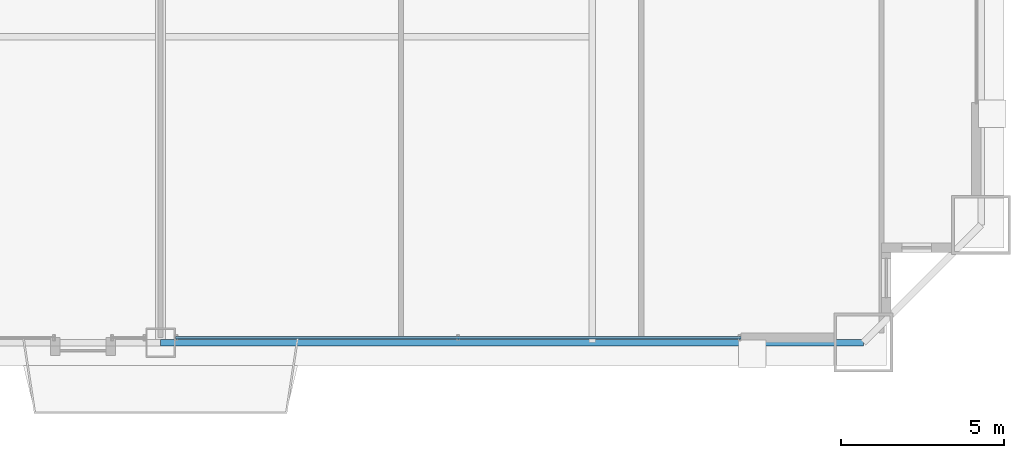
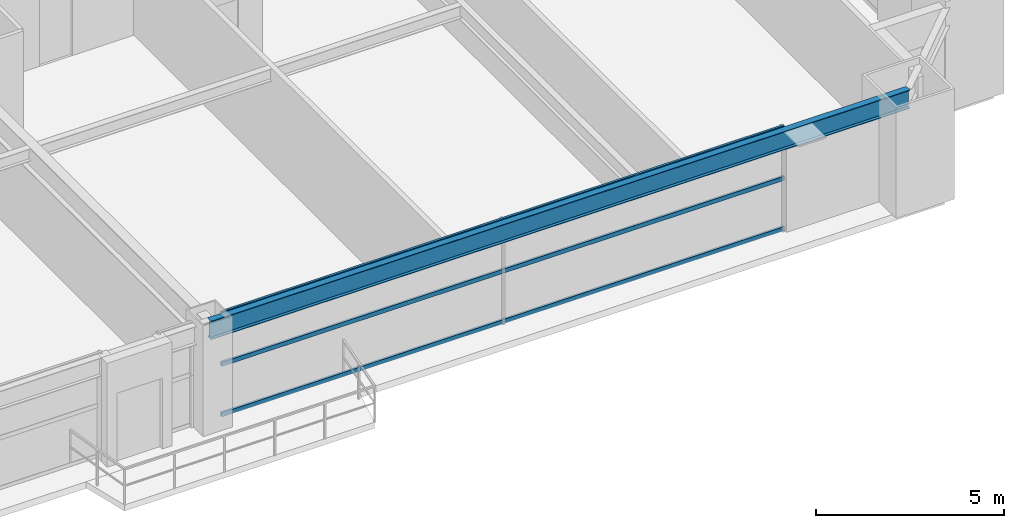
# One storey, part 15 of 45: 3 members, 1 beam, 1 element without a shape of its own.
"""IFC4 building model written with IfcOpenShell, lengths in metres."""

import ifcopenshell
import ifcopenshell.guid

model = None  # the IFC model being written
_history = None  # IfcOwnerHistory: only IFC2X3 demands one
_inside = {}  # id of a spatial element -> (the spatial element, [elements in it])
_under = {}  # id of a project, library or spatial element -> (it, [spatial elements below it])
_declared = {}  # id of a project -> (the project, [libraries it declares])
_typed = {}  # id of a type object -> (the type object, [elements of that type])
_made_of = {}  # id of a material, layer set ... -> (it, [elements and type objects made of it])


def new_model(schema):
    """Start an empty IFC model of exactly this schema.

    Asked for "IFC4X3", IfcOpenShell would pick the latest addendum, in which some entities
    have other attributes; the version numbers below select the first issue.
    IFC2X3 requires an IfcOwnerHistory on every rooted entity: one is made here for all.
    """
    global model, _history
    if schema == "IFC4X3":
        model = ifcopenshell.file(schema_version=(4, 3, 0, 0))
    else:
        model = ifcopenshell.file(schema=schema)
    _inside.clear()
    _under.clear()
    _declared.clear()
    _typed.clear()
    _made_of.clear()
    _history = None
    if model.schema == "IFC2X3":
        org = make("IfcOrganization", Name="unknown")
        user = make(
            "IfcPersonAndOrganization",
            ThePerson=make("IfcPerson", FamilyName="unknown"),
            TheOrganization=org,
        )
        app = make(
            "IfcApplication",
            ApplicationDeveloper=org,
            Version="unknown",
            ApplicationFullName="unknown",
            ApplicationIdentifier="unknown",
        )
        _history = make(
            "IfcOwnerHistory",
            OwningUser=user,
            OwningApplication=app,
            ChangeAction="ADDED",
            CreationDate=0,
        )
    return model


def make(cls, **values):
    """One entity of the class cls with the attributes given. An attribute that is None is left unset."""
    return model.create_entity(
        cls, **{name: value for name, value in values.items() if value is not None}
    )


def rooted(cls, **values):
    """An entity with a GlobalId (a new one), such as an element, a storey or a relation."""
    return make(cls, GlobalId=ifcopenshell.guid.new(), OwnerHistory=_history, **values)


def si_unit(unit_type, name, prefix=None):
    """IfcSIUnit, for example si_unit("LENGTHUNIT", "METRE", prefix="MILLI")."""
    return make("IfcSIUnit", UnitType=unit_type, Prefix=prefix, Name=name)


def assignment(units):
    """IfcUnitAssignment: the units of a project."""
    return None if units is None else make("IfcUnitAssignment", Units=units)


def point(xyz):
    """IfcCartesianPoint."""
    return None if xyz is None else make("IfcCartesianPoint", Coordinates=xyz)


def direction(xyz):
    """IfcDirection."""
    return None if xyz is None else make("IfcDirection", DirectionRatios=xyz)


def frame(location, z_axis=None, x_axis=None):
    """IfcAxis2Placement3D, a coordinate frame: its origin and axes. An axis left out is left unset."""
    return make(
        "IfcAxis2Placement3D",
        Location=point(location),
        Axis=direction(z_axis),
        RefDirection=direction(x_axis),
    )


def frame_2d(location, x_axis=None):
    """IfcAxis2Placement2D, a coordinate frame in the plane: its origin and x axis."""
    return make(
        "IfcAxis2Placement2D", Location=point(location), RefDirection=direction(x_axis)
    )


def origin():
    """The frame at (0, 0, 0) with its axes left unset."""
    return frame((0.0, 0.0, 0.0))


def origin_2d():
    """The frame at (0, 0) in the plane with its x axis left unset."""
    return frame_2d((0.0, 0.0))


def place(relative_to, where):
    """IfcLocalPlacement: puts the frame where relative to a parent placement (None: the world)."""
    return make(
        "IfcLocalPlacement", PlacementRelTo=relative_to, RelativePlacement=where
    )


def context(
    kind, dimensions, precision=None, world=None, true_north=None, identifier=None
):
    """IfcGeometricRepresentationContext, for example the 3D "Model" context."""
    return make(
        "IfcGeometricRepresentationContext",
        ContextIdentifier=identifier,
        ContextType=kind,
        CoordinateSpaceDimension=dimensions,
        Precision=precision,
        WorldCoordinateSystem=world,
        TrueNorth=true_north,
    )


def subcontext(parent, identifier, kind, view, scale=None):
    """IfcGeometricRepresentationSubContext, for example "Body" below "Model"."""
    return make(
        "IfcGeometricRepresentationSubContext",
        ContextIdentifier=identifier,
        ContextType=kind,
        ParentContext=parent,
        TargetScale=scale,
        TargetView=view,
    )


def project(units=None, contexts=None):
    """IfcProject with its units and contexts."""
    return rooted(
        "IfcProject",
        Name="project",
        RepresentationContexts=contexts,
        UnitsInContext=assignment(units),
    )


def spatial(cls, under=None, at=None, **own):
    """A site, building, storey or space (cls), placed at a placement, below another one or the project."""
    s = rooted(cls, ObjectPlacement=at, **own)
    if under is not None:
        _under.setdefault(under.id(), (under, []))[1].append(s)
    return s


def profile(cls, at=None, kind="AREA", **sizes):
    """A parametric profile (cls). Its sizes go by their IFC names, for example OverallWidth=200.0."""
    return make(cls, ProfileType=kind, Position=at, **sizes)


def hollow_rectangle(**sizes):
    """IfcRectangleHollowProfileDef."""
    return profile("IfcRectangleHollowProfileDef", **sizes)


def i_section(**sizes):
    """IfcIShapeProfileDef."""
    return profile("IfcIShapeProfileDef", **sizes)


def extrude(swept, where, along, depth):
    """IfcExtrudedAreaSolid: the profile swept, set in the frame where, extruded along a direction by depth."""
    return make(
        "IfcExtrudedAreaSolid",
        SweptArea=swept,
        Position=where,
        ExtrudedDirection=direction(along),
        Depth=depth,
    )


def shape(context_of_items, identifier, shape_type, items):
    """IfcShapeRepresentation: the items that make up one representation, for example the "Body"."""
    return make(
        "IfcShapeRepresentation",
        ContextOfItems=context_of_items,
        RepresentationIdentifier=identifier,
        RepresentationType=shape_type,
        Items=items,
    )


def source(mapping_origin, context_of_items, identifier, shape_type, items):
    """IfcRepresentationMap: a shape defined once, which mapped items show again and again."""
    return make(
        "IfcRepresentationMap",
        MappingOrigin=mapping_origin,
        MappedRepresentation=shape(context_of_items, identifier, shape_type, items),
    )


def transform(
    local_origin,
    x_axis=None,
    y_axis=None,
    z_axis=None,
    scale=None,
    scale2=None,
    scale3=None,
    uniform=True,
):
    """IfcCartesianTransformationOperator3D, or its non-uniform kind. x_axis, y_axis, z_axis: its Axis1, 2, 3."""
    if uniform:
        return make(
            "IfcCartesianTransformationOperator3D",
            Axis1=direction(x_axis),
            Axis2=direction(y_axis),
            LocalOrigin=point(local_origin),
            Scale=scale,
            Axis3=direction(z_axis),
        )
    return make(
        "IfcCartesianTransformationOperator3DnonUniform",
        Axis1=direction(x_axis),
        Axis2=direction(y_axis),
        LocalOrigin=point(local_origin),
        Scale=scale,
        Axis3=direction(z_axis),
        Scale2=scale2,
        Scale3=scale3,
    )


def mapped(mapping_source, mapping_target):
    """IfcMappedItem: shows the shape of a source again, moved by a transform."""
    return make(
        "IfcMappedItem", MappingSource=mapping_source, MappingTarget=mapping_target
    )


def material(Name=None, Category=None):
    """IfcMaterial."""
    return make("IfcMaterial", Name=Name, Category=Category)


def layer(
    of_material, thickness, ventilated=None, Name=None, Category=None, Priority=None
):
    """IfcMaterialLayer: one layer of a wall or slab, of a material (None: an air gap)."""
    return make(
        "IfcMaterialLayer",
        Material=of_material,
        LayerThickness=thickness,
        IsVentilated=ventilated,
        Name=Name,
        Category=Category,
        Priority=Priority,
    )


def layer_set(layers, Name=None):
    """IfcMaterialLayerSet."""
    return make("IfcMaterialLayerSet", MaterialLayers=layers, LayerSetName=Name)


def material_profile(
    of_material, cross_section, Name=None, Category=None, Priority=None
):
    """IfcMaterialProfile: a cross section and its material."""
    return make(
        "IfcMaterialProfile",
        Name=Name,
        Material=of_material,
        Profile=cross_section,
        Priority=Priority,
        Category=Category,
    )


def profile_set(profiles, Name=None, composite=None):
    """IfcMaterialProfileSet."""
    return make(
        "IfcMaterialProfileSet",
        Name=Name,
        MaterialProfiles=profiles,
        CompositeProfile=composite,
    )


def made_of(thing, what):
    """Note that an element or type object is made of a material, layer set ...; save() writes the relation."""
    if what is not None:
        _made_of.setdefault(what.id(), (what, []))[1].append(thing)
    return thing


def type_object(cls, material=None, **own):
    """A type object (cls), such as IfcWallType, which elements share."""
    return made_of(rooted(cls, **own), material)


def element(
    cls,
    number,
    at=None,
    inside=None,
    cuts=None,
    type_object=None,
    material=None,
    context=None,
    identifier="Body",
    shape_type=None,
    held_by="IfcProductDefinitionShape",
    body=None,
    shapes=None,
    **own,
):
    """One element of the class cls, such as IfcWall. Its Tag is "e" and its number.

    at: its placement. inside: the storey or other place that contains it. cuts: it is an
    opening in that element (IfcRelVoidsElement). A single representation is given by context,
    identifier, shape_type and body (its items); several are given by shapes. held_by: the class
    of the entity that holds the representations. save() writes the other relations.
    """
    e = rooted(cls, Tag="e%d" % number, ObjectPlacement=at, **own)
    if body is not None:
        shapes = [shape(context, identifier, shape_type, body)]
    if shapes is not None:
        e.Representation = make(held_by, Representations=shapes)
    if inside is not None:
        _inside.setdefault(inside.id(), (inside, []))[1].append(e)
    if cuts is not None:
        rooted(
            "IfcRelVoidsElement", RelatingBuildingElement=cuts, RelatedOpeningElement=e
        )
    if type_object is not None:
        _typed.setdefault(type_object.id(), (type_object, []))[1].append(e)
    return made_of(e, material)


def aggregate(whole, parts):
    """IfcRelAggregates: a whole, such as a stair, and the parts it consists of."""
    return rooted("IfcRelAggregates", RelatingObject=whole, RelatedObjects=parts)


def save(model, path):
    """Write the relations noted so far, then the file.

    IfcRelAggregates (storeys below a building ...), IfcRelContainedInSpatialStructure (elements
    in a storey), IfcRelDefinesByType, IfcRelAssociatesMaterial and IfcRelDeclares: one each for
    every whole, place, type object, material and project.
    """
    for whole, parts in _under.values():
        aggregate(whole, parts)
    for where, things in _inside.values():
        rooted(
            "IfcRelContainedInSpatialStructure",
            RelatedElements=things,
            RelatingStructure=where,
        )
    for kind, things in _typed.values():
        rooted("IfcRelDefinesByType", RelatedObjects=things, RelatingType=kind)
    for what, things in _made_of.values():
        rooted("IfcRelAssociatesMaterial", RelatedObjects=things, RelatingMaterial=what)
    for by, libraries in _declared.values():
        rooted("IfcRelDeclares", RelatingContext=by, RelatedDefinitions=libraries)
    model.write(path)


model = new_model("IFC4")

# Units and contexts
model_context = context("Model", 3, precision=1e-05, world=origin(), true_north=direction((0.0, 1.0)))
body_context = subcontext(model_context, "Body", "Model", "MODEL_VIEW")
ifc_project = project(units=[si_unit("LENGTHUNIT", "METRE"), si_unit("AREAUNIT", "SQUARE_METRE"), si_unit("VOLUMEUNIT", "CUBIC_METRE"), si_unit("PLANEANGLEUNIT", "RADIAN"), si_unit("MASSUNIT", "GRAM", prefix="KILO"), si_unit("THERMODYNAMICTEMPERATUREUNIT", "KELVIN"), si_unit("POWERUNIT", "WATT")], contexts=[model_context])

# Site, building, storey
site_placement = place(None, origin())
site = spatial("IfcSite", under=ifc_project, at=site_placement, CompositionType="ELEMENT")
building_placement = place(site_placement, origin())
building = spatial("IfcBuilding", under=site, at=building_placement, Name="Yuzanri Waterfront Tower", CompositionType="ELEMENT")
storey_placement = place(building_placement, frame((0.0, 0.0, 34.199951171875)))
storey = spatial("IfcBuildingStorey", under=building, at=storey_placement, Name="L08", CompositionType="ELEMENT", Elevation=34.199951171875)

# Beam
ifc_material_1 = material(Name="Steel Q355B", Category="steel")
ifc_material_profile_1 = material_profile(ifc_material_1, i_section(OverallWidth=0.199951171875, OverallDepth=0.60009765625, WebThickness=0.010986328125, FlangeThickness=0.01708984375, at=origin_2d()), Name="HN 600x200x11x17")
ifc_profile_set_1 = profile_set([ifc_material_profile_1], Name="Steel Q355B")
beam_type = type_object("IfcBeamType", Name="Perimeter Spandrel Q355B HN 600x200", PredefinedType="SPANDREL", material=ifc_profile_set_1)
shared_shape_1 = source(origin(), body_context, "Body", "SweptSolid", [
    extrude(i_section(OverallWidth=0.199951171875, OverallDepth=0.60009765625, WebThickness=0.010986328125, FlangeThickness=0.01708984375, at=origin_2d()), origin(), (0.0, 0.0, 1.0), 21.5),
])
beam_placement = place(storey_placement, frame((37.0, 0.699951171875, 3.080078125), z_axis=(1.0, 0.0, 0.0), x_axis=(0.0, 1.0, 0.0)))
element("IfcBeam", 1, at=beam_placement, inside=storey, type_object=beam_type, Name="L08 Perimeter Spandrel S2-S3", PredefinedType="SPANDREL", context=body_context, shape_type="MappedRepresentation", body=[
    mapped(shared_shape_1, transform((0.0, 0.0, 0.0), scale=1.0)),
])

# Curtain wall, members
ifc_material_2 = material(Name="Anodized Architectural Bronze", Category="metal")
ifc_layer = layer(ifc_material_2, 0.159912109375)
ifc_layer_set = layer_set([ifc_layer], Name="Anodized Architectural Bronze")
curtain_wall_type = type_object("IfcCurtainWallType", Name="Anodized Bronze Hotel Lower-Tier Recessed Unitized Curtain Wall 8100", PredefinedType="NOTDEFINED", material=ifc_layer_set)
curtain_wall_placement = place(storey_placement, origin())
curtain_wall = element("IfcCurtainWall", 2, at=curtain_wall_placement, inside=storey, type_object=curtain_wall_type, Name="L08 Curtain Wall CW-L08-SR", PredefinedType="NOTDEFINED")
ifc_material_3 = material(Name="Anodized Architectural Bronze", Category="metal")
ifc_material_profile_2 = material_profile(ifc_material_3, hollow_rectangle(XDim=0.070068359375, YDim=0.135009765625, WallThickness=0.00341796875, at=origin_2d()), Name="CWT 70x135")
ifc_profile_set_2 = profile_set([ifc_material_profile_2], Name="Anodized Architectural Bronze")
member_type = type_object("IfcMemberType", Name="Anodized Bronze Standard Curtain-Wall Transom 70x135", PredefinedType="USERDEFINED", material=ifc_profile_set_2)
shared_shape_2 = source(origin(), body_context, "Body", "SweptSolid", [
    extrude(hollow_rectangle(XDim=0.070068359375, YDim=0.135009765625, WallThickness=0.00341796875, at=origin_2d()), origin(), (0.0, 0.0, 1.0), 17.300048828125),
])
member_1_placement = place(storey_placement, frame((37.449951171875, 0.85009765625, 0.050048828125), z_axis=(1.0, 0.0, 0.0), x_axis=(0.0, 1.0, 0.0)))
member_1 = element("IfcMember", 3, at=member_1_placement, type_object=member_type, Name="CW-L08-SR Transom 1", ObjectType="TRANSOM", PredefinedType="USERDEFINED", context=body_context, shape_type="MappedRepresentation", body=[
    mapped(shared_shape_2, transform((0.0, 0.0, 0.0), scale=1.0)),
])
member_2_placement = place(storey_placement, frame((37.449951171875, 0.85009765625, 1.68994140625), z_axis=(1.0, 0.0, 0.0), x_axis=(0.0, 1.0, 0.0)))
member_2 = element("IfcMember", 4, at=member_2_placement, type_object=member_type, Name="CW-L08-SR Transom 2", ObjectType="TRANSOM", PredefinedType="USERDEFINED", context=body_context, shape_type="MappedRepresentation", body=[
    mapped(shared_shape_2, transform((0.0, 0.0, 0.0), scale=1.0)),
])
member_3_placement = place(storey_placement, frame((37.449951171875, 0.85009765625, 3.330078125), z_axis=(1.0, 0.0, 0.0), x_axis=(0.0, 1.0, 0.0)))
member_3 = element("IfcMember", 5, at=member_3_placement, type_object=member_type, Name="CW-L08-SR Transom 3", ObjectType="TRANSOM", PredefinedType="USERDEFINED", context=body_context, shape_type="MappedRepresentation", body=[
    mapped(shared_shape_2, transform((0.0, 0.0, 0.0), scale=1.0)),
])
aggregate(curtain_wall, [member_1, member_2, member_3])

save(model, "model.ifc")
